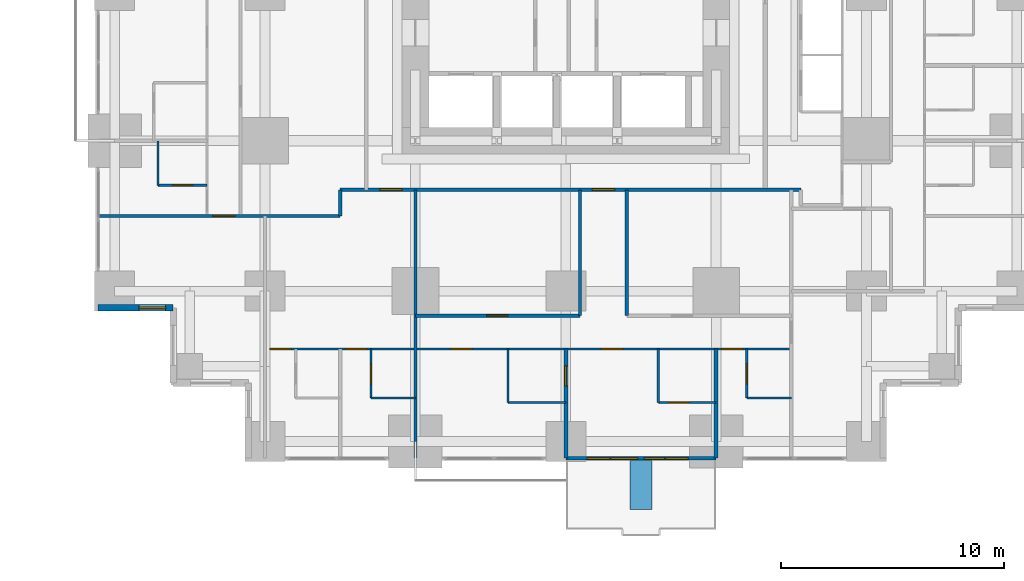
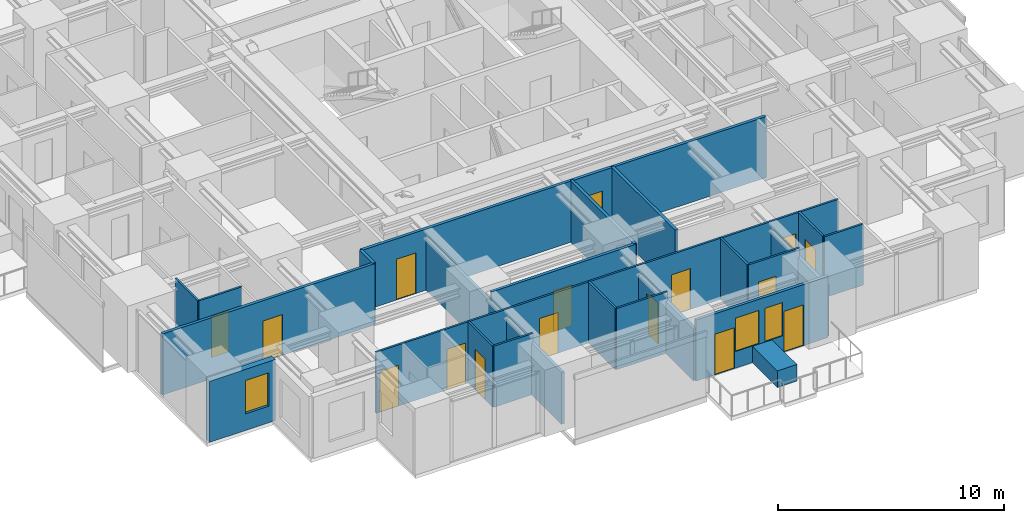
# One storey, part 8 of 15: 23 walls, 16 doors, 3 windows, 19 openings.
"""IFC4 building model written with IfcOpenShell, lengths in metres."""

from ifc_helpers import new_model, si_unit, direction, frame, frame_2d, origin, place, context, subcontext, project, spatial, rectangle, extrude, material, layer, layer_set, type_object, element, fill, save


model = new_model("IFC4")

# Units and contexts
model_context = context("Model", 3, precision=1e-05, world=origin(), true_north=direction((0.0, 1.0)))
body_context = subcontext(model_context, "Body", "Model", "MODEL_VIEW")
ifc_project = project(units=[si_unit("LENGTHUNIT", "METRE"), si_unit("AREAUNIT", "SQUARE_METRE"), si_unit("VOLUMEUNIT", "CUBIC_METRE"), si_unit("PLANEANGLEUNIT", "RADIAN"), si_unit("MASSUNIT", "GRAM", prefix="KILO")], contexts=[model_context])

# Site, building, storey
site_placement = place(None, origin())
site = spatial("IfcSite", under=ifc_project, at=site_placement, CompositionType="ELEMENT")
building_placement = place(site_placement, origin())
building = spatial("IfcBuilding", under=site, at=building_placement, Name="Nyansa Garden Tower", CompositionType="ELEMENT")
storey_placement = place(building_placement, frame((0.0, 0.0, 72.0)))
storey = spatial("IfcBuildingStorey", under=building, at=storey_placement, Name="L19", CompositionType="ELEMENT", Elevation=72.0)

# Wall, opening, door
ifc_material_1 = material(Name="Dense blockwork, plastered both sides, 55 dB", Category="masonry")
ifc_layer_1 = layer(ifc_material_1, 0.175048828125)
ifc_layer_set_1 = layer_set([ifc_layer_1], Name="Acoustic party wall PW175")
wall_type_1 = type_object("IfcWallType", Name="Acoustic party wall PW175", PredefinedType="PARTITIONING", material=ifc_layer_set_1)
wall_1_placement = place(storey_placement, frame((20.25, -0.73388671875, 0.0), z_axis=(0.0, 0.0, 1.0), x_axis=(0.0, 1.0, 0.0)))
wall_1 = element("IfcWall", 1, at=wall_1_placement, inside=storey, type_object=wall_type_1, Name="Party wall", PredefinedType="PARTITIONING", context=body_context, shape_type="SweptSolid", body=[
    extrude(rectangle(XDim=4.8837890625, YDim=0.175048828125, at=frame_2d((2.44189453125, 0.0))), origin(), (0.0, 0.0, 1.0), 2.802001953125),
])
opening_1_placement = place(wall_1_placement, frame((3.23388671875, 0.0, 0.0)))
opening_1 = element("IfcOpeningElement", 2, at=opening_1_placement, cuts=wall_1, Name="Opening D02", PredefinedType="OPENING", context=body_context, shape_type="SweptSolid", body=[
    extrude(rectangle(XDim=0.89990234375, YDim=2.199951171875, at=frame_2d((0.449951171875, 1.10009765625))), frame((0.0, 0.097412109375, 0.0), z_axis=(0.0, -1.0, 0.0), x_axis=(1.0, 0.0, 0.0)), (0.0, 0.0, 1.0), 0.195068359375),
])
ifc_material_2 = material(Name="Timber flush door", Category="wood")
door_type_1 = type_object("IfcDoorType", Name="En-suite door D02 900x2200", OperationType="SINGLE_SWING_RIGHT", PredefinedType="DOOR", material=ifc_material_2)
door_1_placement = place(opening_1_placement, origin())
door_1 = element("IfcDoor", 3, at=door_1_placement, inside=storey, type_object=door_type_1, Name="Door L19-027", OperationType="SINGLE_SWING_RIGHT", OverallHeight=2.199951171875, OverallWidth=0.89990234375, PredefinedType="DOOR", context=body_context, shape_type="SweptSolid", body=[
    extrude(rectangle(XDim=0.89990234375, YDim=2.199951171875, at=frame_2d((0.449951171875, 1.10009765625))), frame((0.0, 0.02490234375, 0.0), z_axis=(0.0, -1.0, 0.0), x_axis=(1.0, 0.0, 0.0)), (0.0, 0.0, 1.0), 0.050048828125),
])
fill(opening_1, door_1)

# Wall
wall_2_placement = place(storey_placement, frame((27.0, -0.73388671875, 0.0), z_axis=(0.0, 0.0, 1.0), x_axis=(0.0, 1.0, 0.0)))
element("IfcWall", 4, at=wall_2_placement, inside=storey, type_object=wall_type_1, Name="Party wall", PredefinedType="PARTITIONING", context=body_context, shape_type="SweptSolid", body=[
    extrude(rectangle(XDim=4.8837890625, YDim=0.175048828125, at=frame_2d((2.44189453125, 0.0))), origin(), (0.0, 0.0, 1.0), 2.802001953125),
])

# Wall, openings, doors, windows
ifc_material_3 = material(Name="Black aluminium framed glazed screen", Category="aluminium")
ifc_layer_2 = layer(ifc_material_3, 0.14990234375)
ifc_layer_set_2 = layer_set([ifc_layer_2], Name="Balcony screen wall BW150")
wall_type_2 = type_object("IfcWallType", Name="Balcony screen wall BW150", PredefinedType="SOLIDWALL", material=ifc_layer_set_2)
wall_3_placement = place(storey_placement, frame((27.0, -0.75, 0.0), z_axis=(0.0, 0.0, 1.0), x_axis=(-1.0, 0.0, 0.0)))
wall_3 = element("IfcWall", 5, at=wall_3_placement, inside=storey, type_object=wall_type_2, Name="Glazed screen wall L19 S", PredefinedType="SOLIDWALL", context=body_context, shape_type="SweptSolid", body=[
    extrude(rectangle(XDim=6.75, YDim=0.14990234375, at=frame_2d((3.375, 0.0))), origin(), (0.0, 0.0, 1.0), 3.300048828125),
])
opening_2_placement = place(wall_3_placement, frame((1.262451171875, 0.0, 0.0)))
opening_2 = element("IfcOpeningElement", 6, at=opening_2_placement, cuts=wall_3, Name="Opening D20", PredefinedType="OPENING", context=body_context, shape_type="SweptSolid", body=[
    extrude(rectangle(XDim=1.0, YDim=2.199951171875, at=frame_2d((0.5, 1.10009765625))), frame((0.0, 0.0849609375, 0.0), z_axis=(0.0, -1.0, 0.0), x_axis=(1.0, 0.0, 0.0)), (0.0, 0.0, 1.0), 0.169921875),
])
opening_3_placement = place(wall_3_placement, frame((2.324951171875, 0.0, 0.89990234375)))
opening_3 = element("IfcOpeningElement", 7, at=opening_3_placement, cuts=wall_3, Name="Opening W7", PredefinedType="OPENING", context=body_context, shape_type="SweptSolid", body=[
    extrude(rectangle(XDim=0.89990234375, YDim=1.800048828125, at=frame_2d((0.449951171875, 0.89990234375))), frame((0.0, 0.0849609375, 0.0), z_axis=(0.0, -1.0, 0.0), x_axis=(1.0, 0.0, 0.0)), (0.0, 0.0, 1.0), 0.169921875),
])
opening_4_placement = place(wall_3_placement, frame((4.78759765625, 0.0, 0.0)))
opening_4 = element("IfcOpeningElement", 8, at=opening_4_placement, cuts=wall_3, Name="Opening D20", PredefinedType="OPENING", context=body_context, shape_type="SweptSolid", body=[
    extrude(rectangle(XDim=1.0, YDim=2.199951171875, at=frame_2d((0.5, 1.10009765625))), frame((0.0, 0.0849609375, 0.0), z_axis=(0.0, -1.0, 0.0), x_axis=(1.0, 0.0, 0.0)), (0.0, 0.0, 1.0), 0.169921875),
])
opening_5_placement = place(wall_3_placement, frame((3.52490234375, 0.0, 0.89990234375)))
opening_5 = element("IfcOpeningElement", 9, at=opening_5_placement, cuts=wall_3, Name="Opening W6", PredefinedType="OPENING", context=body_context, shape_type="SweptSolid", body=[
    extrude(rectangle(XDim=1.199951171875, YDim=1.800048828125, at=frame_2d((0.60009765625, 0.89990234375))), frame((0.0, 0.0849609375, 0.0), z_axis=(0.0, -1.0, 0.0), x_axis=(1.0, 0.0, 0.0)), (0.0, 0.0, 1.0), 0.169921875),
])
ifc_material_4 = material(Name="Black aluminium framed glazed door", Category="aluminium")
door_type_2 = type_object("IfcDoorType", Name="Balcony door D20 1000x2200", OperationType="NOTDEFINED", PredefinedType="DOOR", material=ifc_material_4)
door_2_placement = place(opening_2_placement, origin())
door_2 = element("IfcDoor", 10, at=door_2_placement, inside=storey, type_object=door_type_2, Name="Balcony door L19", OperationType="SINGLE_SWING_LEFT", OverallHeight=2.199951171875, OverallWidth=1.0, PredefinedType="DOOR", context=body_context, shape_type="SweptSolid", body=[
    extrude(rectangle(XDim=1.0, YDim=2.199951171875, at=frame_2d((0.5, 1.10009765625))), frame((0.0, 0.02490234375, 0.0), z_axis=(0.0, -1.0, 0.0), x_axis=(1.0, 0.0, 0.0)), (0.0, 0.0, 1.0), 0.050048828125),
])
fill(opening_2, door_2)
door_3_placement = place(opening_4_placement, origin())
door_3 = element("IfcDoor", 11, at=door_3_placement, inside=storey, type_object=door_type_2, Name="Balcony door L19", OperationType="SINGLE_SWING_RIGHT", OverallHeight=2.199951171875, OverallWidth=1.0, PredefinedType="DOOR", context=body_context, shape_type="SweptSolid", body=[
    extrude(rectangle(XDim=1.0, YDim=2.199951171875, at=frame_2d((0.5, 1.10009765625))), frame((0.0, 0.02490234375, 0.0), z_axis=(0.0, -1.0, 0.0), x_axis=(1.0, 0.0, 0.0)), (0.0, 0.0, 1.0), 0.050048828125),
])
fill(opening_4, door_3)
ifc_material_5 = material(Name="Black aluminium frame, dark tinted double glazing", Category="aluminium")
window_type_1 = type_object("IfcWindowType", Name="Balcony window W6 1200x1800", PartitioningType="SINGLE_PANEL", PredefinedType="WINDOW", material=ifc_material_5)
window_1_placement = place(opening_5_placement, origin())
window_1 = element("IfcWindow", 12, at=window_1_placement, inside=storey, type_object=window_type_1, Name="Window L19", OverallHeight=1.800048828125, OverallWidth=1.199951171875, PartitioningType="SINGLE_PANEL", PredefinedType="WINDOW", context=body_context, shape_type="SweptSolid", body=[
    extrude(rectangle(XDim=1.199951171875, YDim=1.800048828125, at=frame_2d((0.60009765625, 0.89990234375))), frame((0.0, 0.030029296875, 0.0), z_axis=(0.0, -1.0, 0.0), x_axis=(1.0, 0.0, 0.0)), (0.0, 0.0, 1.0), 0.06005859375),
])
fill(opening_5, window_1)
ifc_material_6 = material(Name="Black aluminium frame, dark tinted double glazing", Category="aluminium")
window_type_2 = type_object("IfcWindowType", Name="Balcony window W7 900x1800", PartitioningType="SINGLE_PANEL", PredefinedType="WINDOW", material=ifc_material_6)
window_2_placement = place(opening_3_placement, origin())
window_2 = element("IfcWindow", 13, at=window_2_placement, inside=storey, type_object=window_type_2, Name="Window L19", OverallHeight=1.800048828125, OverallWidth=0.89990234375, PartitioningType="SINGLE_PANEL", PredefinedType="WINDOW", context=body_context, shape_type="SweptSolid", body=[
    extrude(rectangle(XDim=0.89990234375, YDim=1.800048828125, at=frame_2d((0.449951171875, 0.89990234375))), frame((0.0, 0.030029296875, 0.0), z_axis=(0.0, -1.0, 0.0), x_axis=(1.0, 0.0, 0.0)), (0.0, 0.0, 1.0), 0.06005859375),
])
fill(opening_3, window_2)

# Wall, opening, door
ifc_material_7 = material(Name="Blockwork, plastered both sides", Category="masonry")
ifc_layer_3 = layer(ifc_material_7, 0.14990234375)
ifc_layer_set_3 = layer_set([ifc_layer_3], Name="Partition PW150")
wall_type_3 = type_object("IfcWallType", Name="Partition PW150", PredefinedType="PARTITIONING", material=ifc_layer_set_3)
wall_4_placement = place(storey_placement, frame((-0.73388671875, 10.125, 0.0), z_axis=(0.0, 0.0, 1.0), x_axis=(1.0, 0.0, 0.0)))
wall_4 = element("IfcWall", 14, at=wall_4_placement, inside=storey, type_object=wall_type_3, Name="Partition", PredefinedType="PARTITIONING", context=body_context, shape_type="SweptSolid", body=[
    extrude(rectangle(XDim=10.85888671875, YDim=0.14990234375, at=frame_2d((5.429443359375, 0.0))), origin(), (0.0, 0.0, 1.0), 3.300048828125),
])
opening_6_placement = place(wall_4_placement, frame((5.134033203125, 0.0, 0.0)))
opening_6 = element("IfcOpeningElement", 15, at=opening_6_placement, cuts=wall_4, Name="Opening D03", PredefinedType="OPENING", context=body_context, shape_type="SweptSolid", body=[
    extrude(rectangle(XDim=1.0, YDim=2.199951171875, at=frame_2d((0.5, 1.10009765625))), frame((0.0, 0.0849609375, 0.0), z_axis=(0.0, -1.0, 0.0), x_axis=(1.0, 0.0, 0.0)), (0.0, 0.0, 1.0), 0.169921875),
])
ifc_material_8 = material(Name="Timber flush door, 60 minute fire resisting", Category="wood")
door_type_3 = type_object("IfcDoorType", Name="Cluster entrance door D03 1000x2200", OperationType="SINGLE_SWING_LEFT", PredefinedType="DOOR", material=ifc_material_8)
door_4_placement = place(opening_6_placement, origin())
door_4 = element("IfcDoor", 16, at=door_4_placement, inside=storey, type_object=door_type_3, Name="Door L19-018", OperationType="SINGLE_SWING_LEFT", OverallHeight=2.199951171875, OverallWidth=1.0, PredefinedType="DOOR", context=body_context, shape_type="SweptSolid", body=[
    extrude(rectangle(XDim=1.0, YDim=2.199951171875, at=frame_2d((0.5, 1.10009765625))), frame((0.0, 0.02490234375, 0.0), z_axis=(0.0, -1.0, 0.0), x_axis=(1.0, 0.0, 0.0)), (0.0, 0.0, 1.0), 0.050048828125),
])
fill(opening_6, door_4)

# Wall
wall_5_placement = place(storey_placement, frame((10.125, 10.125, 0.0), z_axis=(0.0, 0.0, 1.0), x_axis=(0.0, 1.0, 0.0)))
element("IfcWall", 17, at=wall_5_placement, inside=storey, type_object=wall_type_3, Name="Partition", PredefinedType="PARTITIONING", context=body_context, shape_type="SweptSolid", body=[
    extrude(rectangle(XDim=1.175048828125, YDim=0.14990234375, at=frame_2d((0.58740234375, 0.0))), origin(), (0.0, 0.0, 1.0), 3.300048828125),
])

# Wall, openings, doors
wall_6_placement = place(storey_placement, frame((10.125, 11.300048828125, 0.0), z_axis=(0.0, 0.0, 1.0), x_axis=(1.0, 0.0, 0.0)))
wall_6 = element("IfcWall", 18, at=wall_6_placement, inside=storey, type_object=wall_type_3, Name="Partition", PredefinedType="PARTITIONING", context=body_context, shape_type="SweptSolid", body=[
    extrude(rectangle(XDim=20.675048828125, YDim=0.14990234375, at=frame_2d((10.33740234375, 0.0))), origin(), (0.0, 0.0, 1.0), 3.300048828125),
])
opening_7_placement = place(wall_6_placement, frame((1.77490234375, 0.0, 0.0)))
opening_7 = element("IfcOpeningElement", 19, at=opening_7_placement, cuts=wall_6, Name="Opening D03", PredefinedType="OPENING", context=body_context, shape_type="SweptSolid", body=[
    extrude(rectangle(XDim=1.0, YDim=2.199951171875, at=frame_2d((0.5, 1.10009765625))), frame((0.0, 0.0849609375, 0.0), z_axis=(0.0, -1.0, 0.0), x_axis=(1.0, 0.0, 0.0)), (0.0, 0.0, 1.0), 0.169921875),
])
opening_8_placement = place(wall_6_placement, frame((11.3125, 0.0, 0.0)))
opening_8 = element("IfcOpeningElement", 20, at=opening_8_placement, cuts=wall_6, Name="Opening D03", PredefinedType="OPENING", context=body_context, shape_type="SweptSolid", body=[
    extrude(rectangle(XDim=1.0, YDim=2.199951171875, at=frame_2d((0.5, 1.10009765625))), frame((0.0, 0.0849609375, 0.0), z_axis=(0.0, -1.0, 0.0), x_axis=(1.0, 0.0, 0.0)), (0.0, 0.0, 1.0), 0.169921875),
])
door_5_placement = place(opening_7_placement, origin())
door_5 = element("IfcDoor", 21, at=door_5_placement, inside=storey, type_object=door_type_3, Name="Door L19-023", OperationType="SINGLE_SWING_LEFT", OverallHeight=2.199951171875, OverallWidth=1.0, PredefinedType="DOOR", context=body_context, shape_type="SweptSolid", body=[
    extrude(rectangle(XDim=1.0, YDim=2.199951171875, at=frame_2d((0.5, 1.10009765625))), frame((0.0, 0.02490234375, 0.0), z_axis=(0.0, -1.0, 0.0), x_axis=(1.0, 0.0, 0.0)), (0.0, 0.0, 1.0), 0.050048828125),
])
fill(opening_7, door_5)
door_6_placement = place(opening_8_placement, origin())
door_6 = element("IfcDoor", 22, at=door_6_placement, inside=storey, type_object=door_type_3, Name="Door L19-030", OperationType="SINGLE_SWING_LEFT", OverallHeight=2.199951171875, OverallWidth=1.0, PredefinedType="DOOR", context=body_context, shape_type="SweptSolid", body=[
    extrude(rectangle(XDim=1.0, YDim=2.199951171875, at=frame_2d((0.5, 1.10009765625))), frame((0.0, 0.02490234375, 0.0), z_axis=(0.0, -1.0, 0.0), x_axis=(1.0, 0.0, 0.0)), (0.0, 0.0, 1.0), 0.050048828125),
])
fill(opening_8, door_6)

# Wall
wall_7_placement = place(storey_placement, frame((13.5, -0.73388671875, 0.0), z_axis=(0.0, 0.0, 1.0), x_axis=(0.0, 1.0, 0.0)))
element("IfcWall", 23, at=wall_7_placement, inside=storey, type_object=wall_type_3, Name="Partition", PredefinedType="PARTITIONING", context=body_context, shape_type="SweptSolid", body=[
    extrude(rectangle(XDim=12.033935546875, YDim=0.14990234375, at=frame_2d((6.01708984375, 0.0))), origin(), (0.0, 0.0, 1.0), 2.802001953125),
])

# Wall, opening, door
wall_8_placement = place(storey_placement, frame((13.5, 5.64990234375, 0.0), z_axis=(0.0, 0.0, 1.0), x_axis=(1.0, 0.0, 0.0)))
wall_8 = element("IfcWall", 24, at=wall_8_placement, inside=storey, type_object=wall_type_3, Name="Partition", PredefinedType="PARTITIONING", context=body_context, shape_type="SweptSolid", body=[
    extrude(rectangle(XDim=7.387451171875, YDim=0.14990234375, at=frame_2d((3.69384765625, 0.0))), origin(), (0.0, 0.0, 1.0), 3.300048828125),
])
opening_9_placement = place(wall_8_placement, frame((3.199951171875, 0.0, 0.0)))
opening_9 = element("IfcOpeningElement", 25, at=opening_9_placement, cuts=wall_8, Name="Opening D01", PredefinedType="OPENING", context=body_context, shape_type="SweptSolid", body=[
    extrude(rectangle(XDim=0.949951171875, YDim=2.199951171875, at=frame_2d((0.47509765625, 1.10009765625))), frame((0.0, 0.0849609375, 0.0), z_axis=(0.0, -1.0, 0.0), x_axis=(1.0, 0.0, 0.0)), (0.0, 0.0, 1.0), 0.169921875),
])
ifc_material_9 = material(Name="Timber flush door, 30 minute fire resisting", Category="wood")
door_type_4 = type_object("IfcDoorType", Name="Bedroom door D01 950x2200", OperationType="SINGLE_SWING_LEFT", PredefinedType="DOOR", material=ifc_material_9)
door_7_placement = place(opening_9_placement, origin())
door_7 = element("IfcDoor", 26, at=door_7_placement, inside=storey, type_object=door_type_4, Name="Door L19-032", OperationType="SINGLE_SWING_LEFT", OverallHeight=2.199951171875, OverallWidth=0.949951171875, PredefinedType="DOOR", context=body_context, shape_type="SweptSolid", body=[
    extrude(rectangle(XDim=0.949951171875, YDim=2.199951171875, at=frame_2d((0.47509765625, 1.10009765625))), frame((0.0, 0.02490234375, 0.0), z_axis=(0.0, -1.0, 0.0), x_axis=(1.0, 0.0, 0.0)), (0.0, 0.0, 1.0), 0.050048828125),
])
fill(opening_9, door_7)

# Walls
for number, where, z_axis, x_axis, name in (
    (27, (20.886962890625, 5.64990234375, 0.0), (0.0, 0.0, 1.0), (0.0, 1.0, 0.0), "Partition"),
    (28, (22.988037109375, 5.64990234375, 0.0), (0.0, 0.0, 1.0), (0.0, 1.0, 0.0), "Partition"),
):
    element("IfcWall", number, at=place(storey_placement, frame(where, z_axis=z_axis, x_axis=x_axis)), inside=storey, type_object=wall_type_3, Name=name, PredefinedType="PARTITIONING", context=body_context, shape_type="SweptSolid", body=[
        extrude(rectangle(XDim=5.650146484375, YDim=0.14990234375, at=frame_2d((2.8251953125, 0.0))), origin(), (0.0, 0.0, 1.0), 3.300048828125),
    ])

# Wall, opening, window
ifc_material_10 = material(Name="Turquoise glazed tile on concrete blockwork", Category="masonry")
ifc_layer_4 = layer(ifc_material_10, 0.300048828125)
ifc_layer_set_4 = layer_set([ifc_layer_4], Name="Tiled corner wall TW300")
wall_type_4 = type_object("IfcWallType", Name="Tiled corner wall TW300", PredefinedType="SOLIDWALL", material=ifc_layer_set_4)
wall_9_placement = place(storey_placement, frame((-0.75, 6.0, 0.0), z_axis=(0.0, 0.0, 1.0), x_axis=(1.0, 0.0, 0.0)))
wall_9 = element("IfcWall", 29, at=wall_9_placement, inside=storey, type_object=wall_type_4, Name="Tiled corner wall L19", PredefinedType="SOLIDWALL", context=body_context, shape_type="SweptSolid", body=[
    extrude(rectangle(XDim=3.375, YDim=0.300048828125, at=frame_2d((1.6875, 0.0))), origin(), (0.0, 0.0, 1.0), 3.300048828125),
])
opening_10_placement = place(wall_9_placement, frame((1.83251953125, 0.0, 0.89990234375)))
opening_10 = element("IfcOpeningElement", 30, at=opening_10_placement, cuts=wall_9, Name="Opening W4", PredefinedType="OPENING", context=body_context, shape_type="SweptSolid", body=[
    extrude(rectangle(XDim=1.199951171875, YDim=1.800048828125, at=frame_2d((0.60009765625, 0.89990234375))), frame((0.0, 0.159912109375, 0.0), z_axis=(0.0, -1.0, 0.0), x_axis=(1.0, 0.0, 0.0)), (0.0, 0.0, 1.0), 0.320068359375),
])
ifc_material_11 = material(Name="Black aluminium frame, dark tinted double glazing", Category="aluminium")
window_type_3 = type_object("IfcWindowType", Name="Window W4 1200x1800", PartitioningType="SINGLE_PANEL", PredefinedType="WINDOW", material=ifc_material_11)
window_3_placement = place(opening_10_placement, origin())
window_3 = element("IfcWindow", 31, at=window_3_placement, inside=storey, type_object=window_type_3, Name="Corner window L19", OverallHeight=1.800048828125, OverallWidth=1.199951171875, PartitioningType="SINGLE_PANEL", PredefinedType="WINDOW", context=body_context, shape_type="SweptSolid", body=[
    extrude(rectangle(XDim=1.199951171875, YDim=1.800048828125, at=frame_2d((0.60009765625, 0.89990234375))), frame((0.0, 0.030029296875, 0.0), z_axis=(0.0, -1.0, 0.0), x_axis=(1.0, 0.0, 0.0)), (0.0, 0.0, 1.0), 0.06005859375),
])
fill(opening_10, window_3)

# Walls
ifc_material_12 = material(Name="Concrete C40/50 planter, waterproofed", Category="concrete")
ifc_layer_5 = layer(ifc_material_12, 1.0)
ifc_layer_set_5 = layer_set([ifc_layer_5], Name="Tree planter TP1")
wall_type_5 = type_object("IfcWallType", Name="Tree planter TP1", PredefinedType="USERDEFINED", material=ifc_layer_set_5)
wall_10_placement = place(storey_placement, frame((23.625, -0.85009765625, 0.0), z_axis=(0.0, 0.0, 1.0), x_axis=(0.0, -1.0, 0.0)))
element("IfcWall", 32, at=wall_10_placement, inside=storey, type_object=wall_type_5, Name="Tree planter L19", ObjectType="TREE PLANTER", PredefinedType="USERDEFINED", context=body_context, shape_type="SweptSolid", body=[
    extrude(rectangle(XDim=2.199951171875, YDim=1.0, at=frame_2d((1.10009765625, 0.0))), origin(), (0.0, 0.0, 1.0), 0.89990234375),
])
ifc_material_13 = material(Name="Moisture resistant board on steel studs, tiled", Category="steel")
ifc_layer_6 = layer(ifc_material_13, 0.10009765625)
ifc_layer_set_6 = layer_set([ifc_layer_6], Name="Wet wall PW100")
wall_type_6 = type_object("IfcWallType", Name="Wet wall PW100", PredefinedType="PARTITIONING", material=ifc_layer_set_6)
wall_11_placement = place(storey_placement, frame((1.949951171875, 11.5, 0.0), z_axis=(0.0, 0.0, 1.0), x_axis=(0.0, 1.0, 0.0)))
element("IfcWall", 33, at=wall_11_placement, inside=storey, type_object=wall_type_6, Name="Wet wall", PredefinedType="PARTITIONING", context=body_context, shape_type="SweptSolid", body=[
    extrude(rectangle(XDim=2.0, YDim=0.10009765625, at=frame_2d((1.0, 0.0))), origin(), (0.0, 0.0, 1.0), 3.300048828125),
])

# Wall, opening, door
wall_12_placement = place(storey_placement, frame((1.949951171875, 11.5, 0.0), z_axis=(0.0, 0.0, 1.0), x_axis=(1.0, 0.0, 0.0)))
wall_12 = element("IfcWall", 34, at=wall_12_placement, inside=storey, type_object=wall_type_6, Name="Wet wall", PredefinedType="PARTITIONING", context=body_context, shape_type="SweptSolid", body=[
    extrude(rectangle(XDim=2.199951171875, YDim=0.10009765625, at=frame_2d((1.10009765625, 0.0))), origin(), (0.0, 0.0, 1.0), 3.300048828125),
])
opening_11_placement = place(wall_12_placement, frame((0.64990234375, 0.0, 0.0)))
opening_11 = element("IfcOpeningElement", 35, at=opening_11_placement, cuts=wall_12, Name="Opening D02", PredefinedType="OPENING", context=body_context, shape_type="SweptSolid", body=[
    extrude(rectangle(XDim=0.89990234375, YDim=2.199951171875, at=frame_2d((0.449951171875, 1.10009765625))), frame((0.0, 0.06005859375, 0.0), z_axis=(0.0, -1.0, 0.0), x_axis=(1.0, 0.0, 0.0)), (0.0, 0.0, 1.0), 0.1201171875),
])
door_8_placement = place(opening_11_placement, origin())
door_8 = element("IfcDoor", 36, at=door_8_placement, inside=storey, type_object=door_type_1, Name="Door L19-074", OperationType="SINGLE_SWING_RIGHT", OverallHeight=2.199951171875, OverallWidth=0.89990234375, PredefinedType="DOOR", context=body_context, shape_type="SweptSolid", body=[
    extrude(rectangle(XDim=0.89990234375, YDim=2.199951171875, at=frame_2d((0.449951171875, 1.10009765625))), frame((0.0, 0.02490234375, 0.0), z_axis=(0.0, -1.0, 0.0), x_axis=(1.0, 0.0, 0.0)), (0.0, 0.0, 1.0), 0.050048828125),
])
fill(opening_11, door_8)

# Wall, openings, doors
wall_13_placement = place(storey_placement, frame((6.75, 4.14990234375, 0.0), z_axis=(0.0, 0.0, 1.0), x_axis=(1.0, 0.0, 0.0)))
wall_13 = element("IfcWall", 37, at=wall_13_placement, inside=storey, type_object=wall_type_6, Name="Wet wall", PredefinedType="PARTITIONING", context=body_context, shape_type="SweptSolid", body=[
    extrude(rectangle(XDim=23.625, YDim=0.10009765625, at=frame_2d((11.8125, 0.0))), origin(), (0.0, 0.0, 1.0), 3.300048828125),
])
opening_12_placement = place(wall_13_placement, frame((0.199951171875, 0.0, 0.0)))
opening_12 = element("IfcOpeningElement", 38, at=opening_12_placement, cuts=wall_13, Name="Opening D01", PredefinedType="OPENING", context=body_context, shape_type="SweptSolid", body=[
    extrude(rectangle(XDim=0.949951171875, YDim=2.199951171875, at=frame_2d((0.47509765625, 1.10009765625))), frame((0.0, 0.06005859375, 0.0), z_axis=(0.0, -1.0, 0.0), x_axis=(1.0, 0.0, 0.0)), (0.0, 0.0, 1.0), 0.1201171875),
])
opening_13_placement = place(wall_13_placement, frame((3.625, 0.0, 0.0)))
opening_13 = element("IfcOpeningElement", 39, at=opening_13_placement, cuts=wall_13, Name="Opening D01", PredefinedType="OPENING", context=body_context, shape_type="SweptSolid", body=[
    extrude(rectangle(XDim=0.949951171875, YDim=2.199951171875, at=frame_2d((0.47509765625, 1.10009765625))), frame((0.0, 0.06005859375, 0.0), z_axis=(0.0, -1.0, 0.0), x_axis=(1.0, 0.0, 0.0)), (0.0, 0.0, 1.0), 0.1201171875),
])
opening_14_placement = place(wall_13_placement, frame((15.10009765625, 0.0, 0.0)))
opening_14 = element("IfcOpeningElement", 40, at=opening_14_placement, cuts=wall_13, Name="Opening D14", PredefinedType="OPENING", context=body_context, shape_type="SweptSolid", body=[
    extrude(rectangle(XDim=0.949951171875, YDim=2.199951171875, at=frame_2d((0.47509765625, 1.10009765625))), frame((0.0, 0.06005859375, 0.0), z_axis=(0.0, -1.0, 0.0), x_axis=(1.0, 0.0, 0.0)), (0.0, 0.0, 1.0), 0.1201171875),
])
opening_15_placement = place(wall_13_placement, frame((8.35009765625, 0.0, 0.0)))
opening_15 = element("IfcOpeningElement", 41, at=opening_15_placement, cuts=wall_13, Name="Opening D14", PredefinedType="OPENING", context=body_context, shape_type="SweptSolid", body=[
    extrude(rectangle(XDim=0.949951171875, YDim=2.199951171875, at=frame_2d((0.47509765625, 1.10009765625))), frame((0.0, 0.06005859375, 0.0), z_axis=(0.0, -1.0, 0.0), x_axis=(1.0, 0.0, 0.0)), (0.0, 0.0, 1.0), 0.1201171875),
])
opening_16_placement = place(wall_13_placement, frame((20.5, 0.0, 0.0)))
opening_16 = element("IfcOpeningElement", 42, at=opening_16_placement, cuts=wall_13, Name="Opening D14", PredefinedType="OPENING", context=body_context, shape_type="SweptSolid", body=[
    extrude(rectangle(XDim=0.949951171875, YDim=2.199951171875, at=frame_2d((0.47509765625, 1.10009765625))), frame((0.0, 0.06005859375, 0.0), z_axis=(0.0, -1.0, 0.0), x_axis=(1.0, 0.0, 0.0)), (0.0, 0.0, 1.0), 0.1201171875),
])
door_9_placement = place(opening_12_placement, origin())
door_9 = element("IfcDoor", 43, at=door_9_placement, inside=storey, type_object=door_type_4, Name="Door L19-019", OperationType="SINGLE_SWING_LEFT", OverallHeight=2.199951171875, OverallWidth=0.949951171875, PredefinedType="DOOR", context=body_context, shape_type="SweptSolid", body=[
    extrude(rectangle(XDim=0.949951171875, YDim=2.199951171875, at=frame_2d((0.47509765625, 1.10009765625))), frame((0.0, 0.02490234375, 0.0), z_axis=(0.0, -1.0, 0.0), x_axis=(1.0, 0.0, 0.0)), (0.0, 0.0, 1.0), 0.050048828125),
])
fill(opening_12, door_9)
door_10_placement = place(opening_13_placement, origin())
door_10 = element("IfcDoor", 44, at=door_10_placement, inside=storey, type_object=door_type_4, Name="Door L19-021", OperationType="SINGLE_SWING_LEFT", OverallHeight=2.199951171875, OverallWidth=0.949951171875, PredefinedType="DOOR", context=body_context, shape_type="SweptSolid", body=[
    extrude(rectangle(XDim=0.949951171875, YDim=2.199951171875, at=frame_2d((0.47509765625, 1.10009765625))), frame((0.0, 0.02490234375, 0.0), z_axis=(0.0, -1.0, 0.0), x_axis=(1.0, 0.0, 0.0)), (0.0, 0.0, 1.0), 0.050048828125),
])
fill(opening_13, door_10)
ifc_material_14 = material(Name="Timber flush door, 60 minute fire resisting, self-closing", Category="wood")
door_type_5 = type_object("IfcDoorType", Name="Studio entrance door D14 950x2200", OperationType="SINGLE_SWING_LEFT", PredefinedType="DOOR", material=ifc_material_14)
door_11_placement = place(opening_14_placement, origin())
door_11 = element("IfcDoor", 45, at=door_11_placement, inside=storey, type_object=door_type_5, Name="Door L19-024", OperationType="SINGLE_SWING_LEFT", OverallHeight=2.199951171875, OverallWidth=0.949951171875, PredefinedType="DOOR", context=body_context, shape_type="SweptSolid", body=[
    extrude(rectangle(XDim=0.949951171875, YDim=2.199951171875, at=frame_2d((0.47509765625, 1.10009765625))), frame((0.0, 0.02490234375, 0.0), z_axis=(0.0, -1.0, 0.0), x_axis=(1.0, 0.0, 0.0)), (0.0, 0.0, 1.0), 0.050048828125),
])
fill(opening_14, door_11)
door_12_placement = place(opening_15_placement, origin())
door_12 = element("IfcDoor", 46, at=door_12_placement, inside=storey, type_object=door_type_5, Name="Door L19-026", OperationType="SINGLE_SWING_LEFT", OverallHeight=2.199951171875, OverallWidth=0.949951171875, PredefinedType="DOOR", context=body_context, shape_type="SweptSolid", body=[
    extrude(rectangle(XDim=0.949951171875, YDim=2.199951171875, at=frame_2d((0.47509765625, 1.10009765625))), frame((0.0, 0.02490234375, 0.0), z_axis=(0.0, -1.0, 0.0), x_axis=(1.0, 0.0, 0.0)), (0.0, 0.0, 1.0), 0.050048828125),
])
fill(opening_15, door_12)
door_13_placement = place(opening_16_placement, origin())
door_13 = element("IfcDoor", 47, at=door_13_placement, inside=storey, type_object=door_type_5, Name="Door L19-028", OperationType="SINGLE_SWING_LEFT", OverallHeight=2.199951171875, OverallWidth=0.949951171875, PredefinedType="DOOR", context=body_context, shape_type="SweptSolid", body=[
    extrude(rectangle(XDim=0.949951171875, YDim=2.199951171875, at=frame_2d((0.47509765625, 1.10009765625))), frame((0.0, 0.02490234375, 0.0), z_axis=(0.0, -1.0, 0.0), x_axis=(1.0, 0.0, 0.0)), (0.0, 0.0, 1.0), 0.050048828125),
])
fill(opening_16, door_13)

# Wall, opening, door
wall_14_placement = place(storey_placement, frame((11.5, 1.949951171875, 0.0), z_axis=(0.0, 0.0, 1.0), x_axis=(0.0, 1.0, 0.0)))
wall_14 = element("IfcWall", 48, at=wall_14_placement, inside=storey, type_object=wall_type_6, Name="Wet wall", PredefinedType="PARTITIONING", context=body_context, shape_type="SweptSolid", body=[
    extrude(rectangle(XDim=2.199951171875, YDim=0.10009765625, at=frame_2d((1.10009765625, 0.0))), origin(), (0.0, 0.0, 1.0), 3.300048828125),
])
opening_17_placement = place(wall_14_placement, frame((0.64990234375, 0.0, 0.0)))
opening_17 = element("IfcOpeningElement", 49, at=opening_17_placement, cuts=wall_14, Name="Opening D02", PredefinedType="OPENING", context=body_context, shape_type="SweptSolid", body=[
    extrude(rectangle(XDim=0.89990234375, YDim=2.199951171875, at=frame_2d((0.449951171875, 1.10009765625))), frame((0.0, 0.06005859375, 0.0), z_axis=(0.0, -1.0, 0.0), x_axis=(1.0, 0.0, 0.0)), (0.0, 0.0, 1.0), 0.1201171875),
])
door_14_placement = place(opening_17_placement, origin())
door_14 = element("IfcDoor", 50, at=door_14_placement, inside=storey, type_object=door_type_1, Name="Door L19-022", OperationType="SINGLE_SWING_RIGHT", OverallHeight=2.199951171875, OverallWidth=0.89990234375, PredefinedType="DOOR", context=body_context, shape_type="SweptSolid", body=[
    extrude(rectangle(XDim=0.89990234375, YDim=2.199951171875, at=frame_2d((0.449951171875, 1.10009765625))), frame((0.0, 0.02490234375, 0.0), z_axis=(0.0, -1.0, 0.0), x_axis=(1.0, 0.0, 0.0)), (0.0, 0.0, 1.0), 0.050048828125),
])
fill(opening_17, door_14)

# Walls
wall_15_placement = place(storey_placement, frame((11.5, 1.949951171875, 0.0), z_axis=(0.0, 0.0, 1.0), x_axis=(1.0, 0.0, 0.0)))
element("IfcWall", 51, at=wall_15_placement, inside=storey, type_object=wall_type_6, Name="Wet wall", PredefinedType="PARTITIONING", context=body_context, shape_type="SweptSolid", body=[
    extrude(rectangle(XDim=2.0, YDim=0.10009765625, at=frame_2d((1.0, 0.0))), origin(), (0.0, 0.0, 1.0), 3.300048828125),
])
wall_16_placement = place(storey_placement, frame((17.64990234375, 1.75, 0.0), z_axis=(0.0, 0.0, 1.0), x_axis=(0.0, 1.0, 0.0)))
element("IfcWall", 52, at=wall_16_placement, inside=storey, type_object=wall_type_6, Name="Wet wall", PredefinedType="PARTITIONING", context=body_context, shape_type="SweptSolid", body=[
    extrude(rectangle(XDim=2.39990234375, YDim=0.10009765625, at=frame_2d((1.199951171875, 0.0))), origin(), (0.0, 0.0, 1.0), 3.300048828125),
])
wall_17_placement = place(storey_placement, frame((17.64990234375, 1.75, 0.0), z_axis=(0.0, 0.0, 1.0), x_axis=(1.0, 0.0, 0.0)))
element("IfcWall", 53, at=wall_17_placement, inside=storey, type_object=wall_type_6, Name="Wet wall", PredefinedType="PARTITIONING", context=body_context, shape_type="SweptSolid", body=[
    extrude(rectangle(XDim=2.60009765625, YDim=0.10009765625, at=frame_2d((1.300048828125, 0.0))), origin(), (0.0, 0.0, 1.0), 3.300048828125),
])
wall_18_placement = place(storey_placement, frame((24.39990234375, 1.75, 0.0), z_axis=(0.0, 0.0, 1.0), x_axis=(0.0, 1.0, 0.0)))
element("IfcWall", 54, at=wall_18_placement, inside=storey, type_object=wall_type_6, Name="Wet wall", PredefinedType="PARTITIONING", context=body_context, shape_type="SweptSolid", body=[
    extrude(rectangle(XDim=2.39990234375, YDim=0.10009765625, at=frame_2d((1.199951171875, 0.0))), origin(), (0.0, 0.0, 1.0), 3.300048828125),
])

# Wall, opening, door
wall_19_placement = place(storey_placement, frame((24.39990234375, 1.75, 0.0), z_axis=(0.0, 0.0, 1.0), x_axis=(1.0, 0.0, 0.0)))
wall_19 = element("IfcWall", 55, at=wall_19_placement, inside=storey, type_object=wall_type_6, Name="Wet wall", PredefinedType="PARTITIONING", context=body_context, shape_type="SweptSolid", body=[
    extrude(rectangle(XDim=2.60009765625, YDim=0.10009765625, at=frame_2d((1.300048828125, 0.0))), origin(), (0.0, 0.0, 1.0), 3.300048828125),
])
opening_18_placement = place(wall_19_placement, frame((0.5, 0.0, 0.0)))
opening_18 = element("IfcOpeningElement", 56, at=opening_18_placement, cuts=wall_19, Name="Opening D02", PredefinedType="OPENING", context=body_context, shape_type="SweptSolid", body=[
    extrude(rectangle(XDim=0.89990234375, YDim=2.199951171875, at=frame_2d((0.449951171875, 1.10009765625))), frame((0.0, 0.06005859375, 0.0), z_axis=(0.0, -1.0, 0.0), x_axis=(1.0, 0.0, 0.0)), (0.0, 0.0, 1.0), 0.1201171875),
])
door_15_placement = place(opening_18_placement, origin())
door_15 = element("IfcDoor", 57, at=door_15_placement, inside=storey, type_object=door_type_1, Name="Door L19-025", OperationType="SINGLE_SWING_RIGHT", OverallHeight=2.199951171875, OverallWidth=0.89990234375, PredefinedType="DOOR", context=body_context, shape_type="SweptSolid", body=[
    extrude(rectangle(XDim=0.89990234375, YDim=2.199951171875, at=frame_2d((0.449951171875, 1.10009765625))), frame((0.0, 0.02490234375, 0.0), z_axis=(0.0, -1.0, 0.0), x_axis=(1.0, 0.0, 0.0)), (0.0, 0.0, 1.0), 0.050048828125),
])
fill(opening_18, door_15)

wall_20_placement = place(storey_placement, frame((28.375, 1.949951171875, 0.0), z_axis=(0.0, 0.0, 1.0), x_axis=(0.0, 1.0, 0.0)))
wall_20 = element("IfcWall", 58, at=wall_20_placement, inside=storey, type_object=wall_type_6, Name="Wet wall", PredefinedType="PARTITIONING", context=body_context, shape_type="SweptSolid", body=[
    extrude(rectangle(XDim=2.199951171875, YDim=0.10009765625, at=frame_2d((1.10009765625, 0.0))), origin(), (0.0, 0.0, 1.0), 3.300048828125),
])
opening_19_placement = place(wall_20_placement, frame((0.64990234375, 0.0, 0.0)))
opening_19 = element("IfcOpeningElement", 59, at=opening_19_placement, cuts=wall_20, Name="Opening D02", PredefinedType="OPENING", context=body_context, shape_type="SweptSolid", body=[
    extrude(rectangle(XDim=0.89990234375, YDim=2.199951171875, at=frame_2d((0.449951171875, 1.10009765625))), frame((0.0, 0.06005859375, 0.0), z_axis=(0.0, -1.0, 0.0), x_axis=(1.0, 0.0, 0.0)), (0.0, 0.0, 1.0), 0.1201171875),
])
door_16_placement = place(opening_19_placement, origin())
door_16 = element("IfcDoor", 60, at=door_16_placement, inside=storey, type_object=door_type_1, Name="Door L19-029", OperationType="SINGLE_SWING_RIGHT", OverallHeight=2.199951171875, OverallWidth=0.89990234375, PredefinedType="DOOR", context=body_context, shape_type="SweptSolid", body=[
    extrude(rectangle(XDim=0.89990234375, YDim=2.199951171875, at=frame_2d((0.449951171875, 1.10009765625))), frame((0.0, 0.02490234375, 0.0), z_axis=(0.0, -1.0, 0.0), x_axis=(1.0, 0.0, 0.0)), (0.0, 0.0, 1.0), 0.050048828125),
])
fill(opening_19, door_16)

# Wall
wall_21_placement = place(storey_placement, frame((28.375, 1.949951171875, 0.0), z_axis=(0.0, 0.0, 1.0), x_axis=(1.0, 0.0, 0.0)))
element("IfcWall", 61, at=wall_21_placement, inside=storey, type_object=wall_type_6, Name="Wet wall", PredefinedType="PARTITIONING", context=body_context, shape_type="SweptSolid", body=[
    extrude(rectangle(XDim=2.0, YDim=0.10009765625, at=frame_2d((1.0, 0.0))), origin(), (0.0, 0.0, 1.0), 3.300048828125),
])

save(model, "model.ifc")
